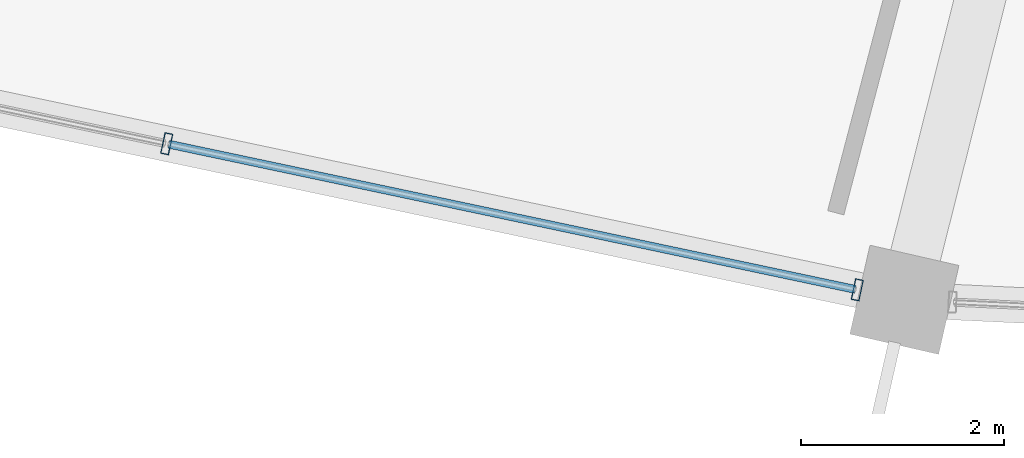
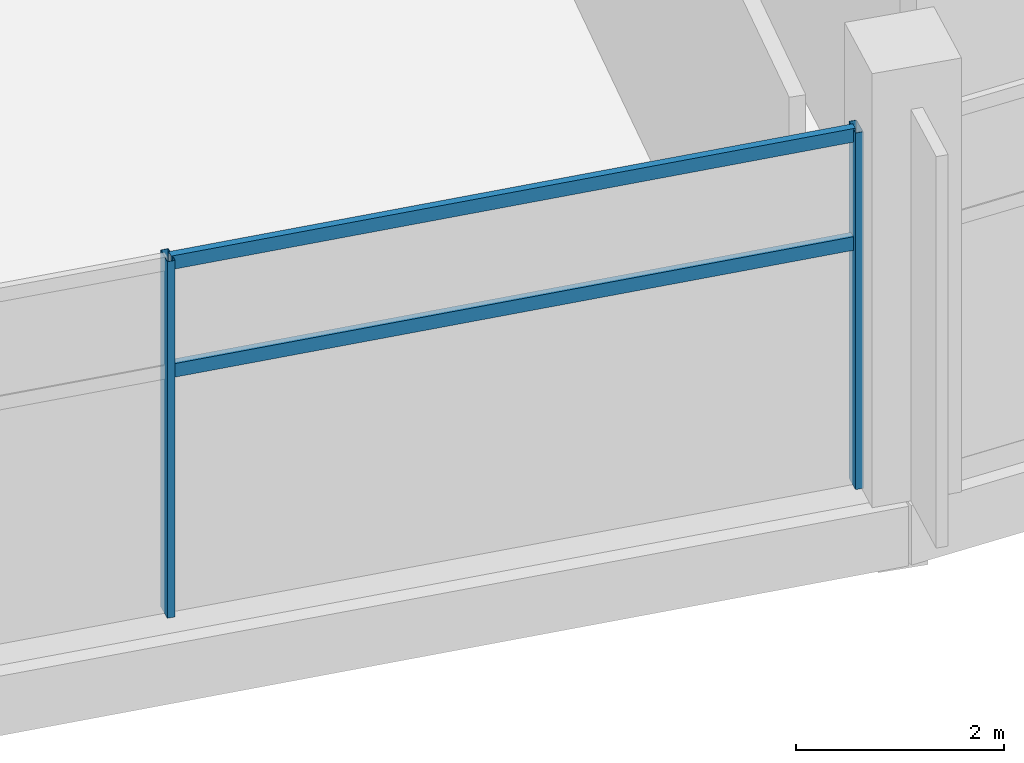
# One storey, part 18 of 184: 4 members, 1 element without a shape of its own.
"""IFC4 building model written with IfcOpenShell, lengths in metres."""

from ifc_helpers import new_model, si_unit, direction, frame, origin, origin_2d, place, context, subcontext, project, spatial, hollow_rectangle, extrude, material, layer, layer_set, material_profile, profile_set, type_object, element, aggregate, save


model = new_model("IFC4")

# Units and contexts
model_context = context("Model", 3, precision=1e-05, world=origin(), true_north=direction((0.0, 1.0)))
body_context = subcontext(model_context, "Body", "Model", "MODEL_VIEW")
ifc_project = project(units=[si_unit("LENGTHUNIT", "METRE"), si_unit("AREAUNIT", "SQUARE_METRE"), si_unit("VOLUMEUNIT", "CUBIC_METRE"), si_unit("PLANEANGLEUNIT", "RADIAN"), si_unit("MASSUNIT", "GRAM", prefix="KILO")], contexts=[model_context])

# Site, building, storey
site_placement = place(None, origin())
site = spatial("IfcSite", under=ifc_project, at=site_placement, CompositionType="ELEMENT")
building_placement = place(site_placement, origin())
building = spatial("IfcBuilding", under=site, at=building_placement, Name="Kazemori Nagisa Stadium", CompositionType="ELEMENT")
storey_placement = place(building_placement, frame((0.0, 0.0, 10.5400390625)))
storey = spatial("IfcBuildingStorey", under=building, at=storey_placement, Name="L02", CompositionType="ELEMENT", Elevation=10.5400390625)

# Curtain wall, members
ifc_material_1 = material(Name="Anodised aluminium 6063-T5", Category="aluminium")
ifc_layer = layer(ifc_material_1, 0.2099609375, Name="Anodised aluminium 6063-T5", Category="aluminium")
ifc_layer_set = layer_set([ifc_layer], Name="Anodised aluminium 6063-T5")
curtain_wall_type = type_object("IfcCurtainWallType", Name="CW_L02R3_105", PredefinedType="USERDEFINED", material=ifc_layer_set)
curtain_wall_placement = place(storey_placement, origin())
curtain_wall = element("IfcCurtainWall", 1, at=curtain_wall_placement, inside=storey, type_object=curtain_wall_type, Name="Unitised curtain wall CW-L02R3-105 L02", ObjectType="UNITISED CURTAIN WALL", PredefinedType="USERDEFINED")
ifc_material_2 = material(Name="Aluminium 6063-T5 anodised", Category="aluminium")
ifc_material_profile_1 = material_profile(ifc_material_2, hollow_rectangle(XDim=0.080078125, YDim=0.2099609375, WallThickness=0.0048828125, at=origin_2d()), Name="ALU-MULL-80x210x5")
ifc_profile_set_1 = profile_set([ifc_material_profile_1], Name="Aluminium 6063-T5 anodised")
member_type_1 = type_object("IfcMemberType", Name="Mullion_M02", PredefinedType="MULLION", material=ifc_profile_set_1)
member_1_placement = place(storey_placement, frame((94.291748046875, 18.553466796875, 0.0), z_axis=(0.0, 0.0, 1.0), x_axis=(0.978344955407, -0.206981033502, 0.0)))
member_1 = element("IfcMember", 2, at=member_1_placement, type_object=member_type_1, Name="Curtain wall mullion CW-L02R3-105-M3", PredefinedType="MULLION", context=body_context, shape_type="SweptSolid", body=[
    extrude(hollow_rectangle(XDim=0.080078125, YDim=0.2099609375, WallThickness=0.0048828125, at=origin_2d()), origin(), (0.0, 0.0, 1.0), 4.18994140625),
])
member_2_placement = place(storey_placement, frame((101.107666015625, 17.111572265625, 0.0), z_axis=(0.0, 0.0, 1.0), x_axis=(0.978344955407, -0.206981033502, 0.0)))
member_2 = element("IfcMember", 3, at=member_2_placement, type_object=member_type_1, Name="Curtain wall mullion CW-L02R3-105-M4", PredefinedType="MULLION", context=body_context, shape_type="SweptSolid", body=[
    extrude(hollow_rectangle(XDim=0.080078125, YDim=0.2099609375, WallThickness=0.0048828125, at=origin_2d()), origin(), (0.0, 0.0, 1.0), 4.18994140625),
])
ifc_material_profile_2 = material_profile(ifc_material_2, hollow_rectangle(XDim=0.080078125, YDim=0.159912109375, WallThickness=0.00390625, at=origin_2d()), Name="ALU-TRAN-80x160x4")
ifc_profile_set_2 = profile_set([ifc_material_profile_2], Name="Aluminium 6063-T5 anodised")
member_type_2 = type_object("IfcMemberType", Name="Transom_T02", PredefinedType="USERDEFINED", material=ifc_profile_set_2)
member_3_placement = place(storey_placement, frame((94.311279296875, 18.54931640625, 2.84912109375), z_axis=(0.978348879673, -0.20696248366, 0.0), x_axis=(0.20696248366, 0.978348879673, 0.0)))
member_3 = element("IfcMember", 4, at=member_3_placement, type_object=member_type_2, Name="Curtain wall transom CW-L02R3-105-T3-mid", ObjectType="TRANSOM", PredefinedType="USERDEFINED", context=body_context, shape_type="SweptSolid", body=[
    extrude(hollow_rectangle(XDim=0.080078125, YDim=0.159912109375, WallThickness=0.00390625, at=origin_2d()), origin(), (0.0, 0.0, 1.0), 6.9267578125),
])
member_4_placement = place(storey_placement, frame((94.311279296875, 18.54931640625, 4.119873046875), z_axis=(0.978348879673, -0.20696248366, 0.0), x_axis=(0.20696248366, 0.978348879673, 0.0)))
member_4 = element("IfcMember", 5, at=member_4_placement, type_object=member_type_2, Name="Curtain wall transom CW-L02R3-105-T3-head", ObjectType="TRANSOM", PredefinedType="USERDEFINED", context=body_context, shape_type="SweptSolid", body=[
    extrude(hollow_rectangle(XDim=0.080078125, YDim=0.159912109375, WallThickness=0.00390625, at=origin_2d()), origin(), (0.0, 0.0, 1.0), 6.9267578125),
])
aggregate(curtain_wall, [member_1, member_2, member_3, member_4])

save(model, "model.ifc")
